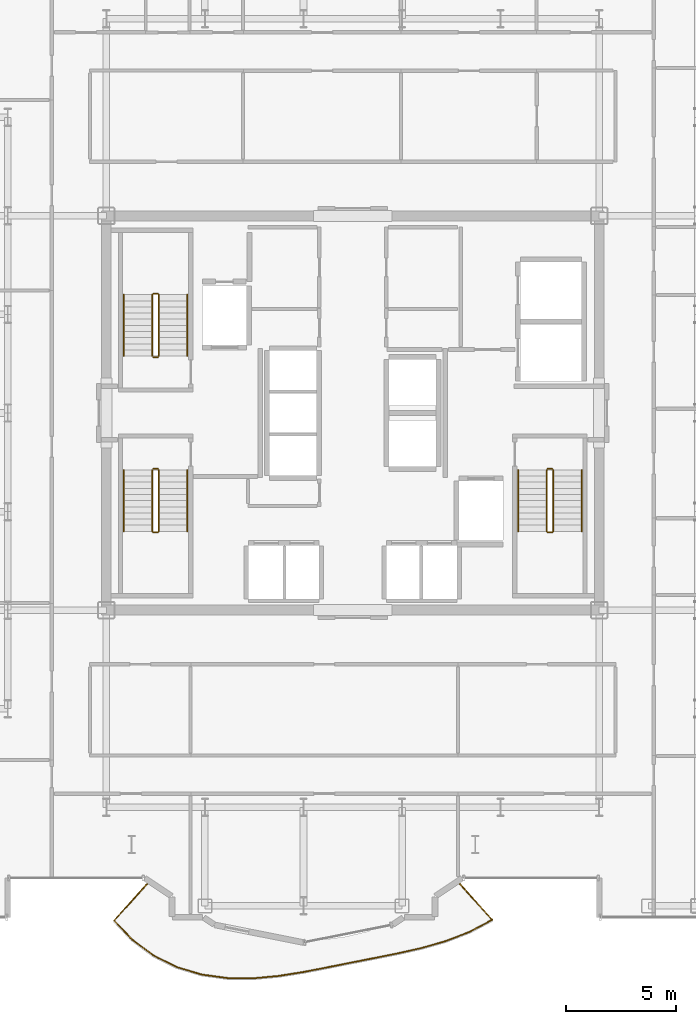
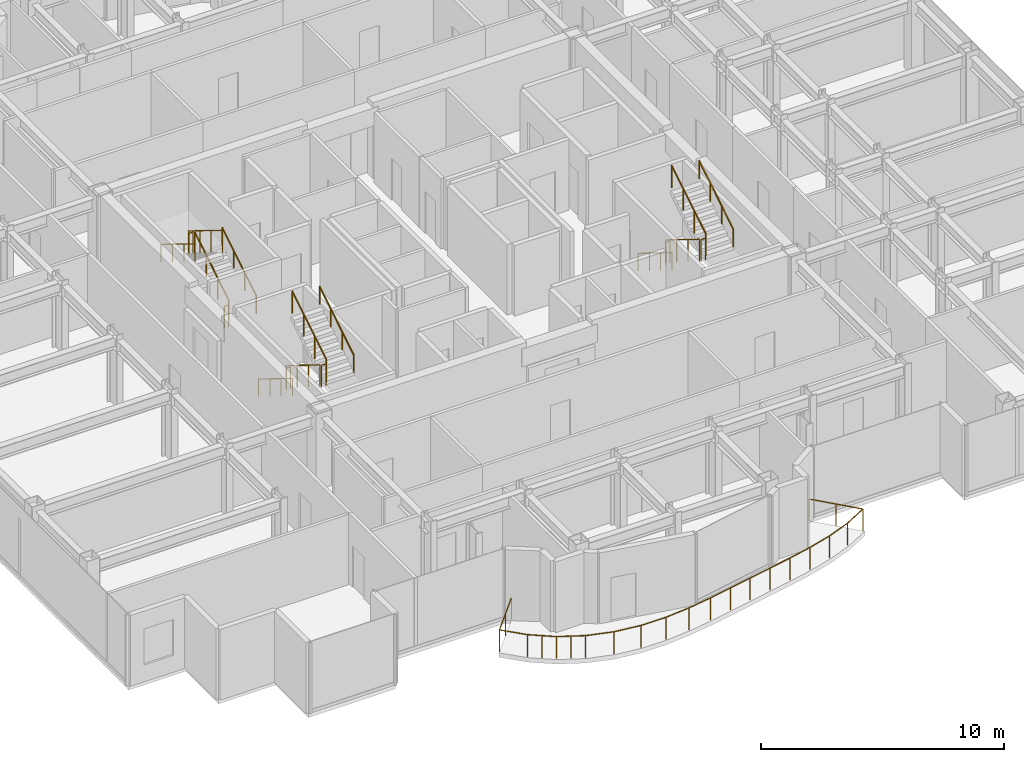
# One storey, part 20 of 21: 19 railings.
"""IFC4 building model written with IfcOpenShell, lengths in metres."""

from ifc_helpers import new_model, si_unit, direction, frame, origin, origin_2d, place, context, subcontext, project, spatial, circle, extrude, material, type_object, element, save


model = new_model("IFC4")

# Units and contexts
model_context = context("Model", 3, precision=1e-05, world=origin(), true_north=direction((0.0, 1.0)))
body_context = subcontext(model_context, "Body", "Model", "MODEL_VIEW")
ifc_project = project(units=[si_unit("LENGTHUNIT", "METRE"), si_unit("AREAUNIT", "SQUARE_METRE"), si_unit("VOLUMEUNIT", "CUBIC_METRE"), si_unit("PLANEANGLEUNIT", "RADIAN"), si_unit("MASSUNIT", "GRAM", prefix="KILO")], contexts=[model_context])

# Site, building, storey
site_placement = place(None, origin())
site = spatial("IfcSite", under=ifc_project, at=site_placement, CompositionType="ELEMENT")
building_placement = place(site_placement, origin())
building = spatial("IfcBuilding", under=site, at=building_placement, Name="Nefas-Gora Pilgrimage Tower", CompositionType="ELEMENT")
storey_placement = place(building_placement, frame((0.0, 0.0, 248.39990234375)))
storey = spatial("IfcBuildingStorey", under=building, at=storey_placement, Name="L62", CompositionType="ELEMENT", Elevation=248.39990234375)

# Railings
ifc_material_1 = material(Name="Laminated safety glass and stainless steel", Category="steel")
railing_type_1 = type_object("IfcRailingType", Name="RLG-BAL-1100", PredefinedType="BALUSTRADE", material=ifc_material_1)
railing_1_placement = place(storey_placement, frame((-9.302490234375, -21.402587890625, 0.0)))
element("IfcRailing", 1, at=railing_1_placement, inside=storey, type_object=railing_type_1, Name="L62 Wave Balcony Balustrade S2", PredefinedType="BALUSTRADE", context=body_context, shape_type="SweptSolid", body=[
    extrude(circle(Radius=0.02392578125, at=origin_2d()), frame((0.0, 0.0, 1.09619140625), z_axis=(-0.669135077133, -0.74314079995, 0.0), x_axis=(0.74314079995, -0.669135077133, 0.0)), (0.0, 0.0, 1.0), 2.375244140625),
    extrude(circle(Radius=0.02392578125, at=origin_2d()), frame((-1.58935546875, -1.76513671875, 1.09619140625), z_axis=(0.68750179514, -0.726182677898, 0.0), x_axis=(0.726182677898, 0.68750179514, 0.0)), (0.0, 0.0, 1.0), 1.19921875),
    extrude(circle(Radius=0.02392578125, at=origin_2d()), frame((-0.764892578125, -2.635986328125, 1.09619140625), z_axis=(0.801437477804, -0.59807856438, 0.0), x_axis=(0.59807856438, 0.801437477804, 0.0)), (0.0, 0.0, 1.0), 1.200439453125),
    extrude(circle(Radius=0.02392578125, at=origin_2d()), frame((0.197265625, -3.35400390625, 1.09619140625), z_axis=(0.89467105907, -0.44672552654, 0.0), x_axis=(0.44672552654, 0.89467105907, 0.0)), (0.0, 0.0, 1.0), 1.20068359375),
    extrude(circle(Radius=0.02392578125, at=origin_2d()), frame((1.271484375, -3.890380859375, 1.09619140625), z_axis=(0.958038938913, -0.286638084571, 0.0), x_axis=(0.286638084571, 0.958038938913, 0.0)), (0.0, 0.0, 1.0), 1.19921875),
    extrude(circle(Radius=0.02392578125, at=origin_2d()), frame((2.42041015625, -4.234130859375, 1.09619140625), z_axis=(0.990887292095, -0.134693631496, 0.0), x_axis=(0.134693631496, 0.990887292095, 0.0)), (0.0, 0.0, 1.0), 1.194580078125),
    extrude(circle(Radius=0.02392578125, at=origin_2d()), frame((3.60400390625, -4.39501953125, 1.09619140625), z_axis=(0.999987695818, -0.004960666536, 0.0), x_axis=(0.004960666536, 0.999987695818, 0.0)), (0.0, 0.0, 1.0), 1.18115234375),
    extrude(circle(Radius=0.02392578125, at=origin_2d()), frame((4.78515625, -4.40087890625, 1.09619140625), z_axis=(0.995572807418, 0.093993537703, 0.0), x_axis=(-0.093993537703, 0.995572807418, 0.0)), (0.0, 0.0, 1.0), 1.158447265625),
    extrude(circle(Radius=0.02392578125, at=origin_2d()), frame((5.9384765625, -4.2919921875, 1.09619140625), z_axis=(0.98740955461, 0.15818461197, 0.0), x_axis=(-0.15818461197, 0.98740955461, 0.0)), (0.0, 0.0, 1.0), 1.128173828125),
    extrude(circle(Radius=0.02392578125, at=origin_2d()), frame((7.052490234375, -4.113525390625, 1.09619140625), z_axis=(0.981742387209, 0.190215365199, 0.0), x_axis=(-0.190215365199, 0.981742387209, 0.0)), (0.0, 0.0, 1.0), 1.0986328125),
    extrude(circle(Radius=0.02392578125, at=origin_2d()), frame((8.131103515625, -3.904541015625, 1.09619140625), z_axis=(0.980414901531, 0.196943191949, 0.0), x_axis=(-0.196943191949, 0.980414901531, 0.0)), (0.0, 0.0, 1.0), 1.07861328125),
    extrude(circle(Radius=0.02392578125, at=origin_2d()), frame((9.1884765625, -3.692138671875, 1.09619140625), z_axis=(0.981315429712, 0.192405892346, 0.0), x_axis=(-0.192405892346, 0.981315429712, 0.0)), (0.0, 0.0, 1.0), 1.075927734375),
    extrude(circle(Radius=0.02392578125, at=origin_2d()), frame((10.244384765625, -3.485107421875, 1.09619140625), z_axis=(0.980846406589, 0.194782767929, 0.0), x_axis=(-0.194782767929, 0.980846406589, 0.0)), (0.0, 0.0, 1.0), 1.091796875),
    extrude(circle(Radius=0.02392578125, at=origin_2d()), frame((11.315185546875, -3.2724609375, 1.09619140625), z_axis=(0.975857703496, 0.218407285884, 0.0), x_axis=(-0.218407285884, 0.975857703496, 0.0)), (0.0, 0.0, 1.0), 1.1201171875),
    extrude(circle(Radius=0.02392578125, at=origin_2d()), frame((12.408203125, -3.02783203125, 1.09619140625), z_axis=(0.962066425729, 0.272815308377, 0.0), x_axis=(-0.272815308377, 0.962066425729, 0.0)), (0.0, 0.0, 1.0), 1.15087890625),
    extrude(circle(Radius=0.02392578125, at=origin_2d()), frame((13.515380859375, -2.7138671875, 1.09619140625), z_axis=(0.933666294474, 0.358144175665, 0.0), x_axis=(-0.358144175665, 0.933666294474, 0.0)), (0.0, 0.0, 1.0), 1.17578125),
    extrude(circle(Radius=0.02392578125, at=origin_2d()), frame((14.61328125, -2.292724609375, 1.09619140625), z_axis=(0.883049407943, 0.469280026351, 0.0), x_axis=(-0.469280026351, 0.883049407943, 0.0)), (0.0, 0.0, 1.0), 1.19189453125),
    extrude(circle(Radius=0.02392578125, at=origin_2d()), frame((15.665771484375, -1.7333984375, 1.09619140625), z_axis=(-0.669138195153, 0.743137992427, 0.0), x_axis=(-0.743137992427, -0.669138195153, 0.0)), (0.0, 0.0, 1.0), 2.33251953125),
    extrude(circle(Radius=0.02099609375, at=origin_2d()), origin(), (0.0, 0.0, 1.0), 1.072021484375),
    extrude(circle(Radius=0.02099609375, at=origin_2d()), frame((-0.794677734375, -0.882568359375, 0.0)), (0.0, 0.0, 1.0), 1.072021484375),
    extrude(circle(Radius=0.02099609375, at=origin_2d()), frame((-1.58935546875, -1.76513671875, 0.0)), (0.0, 0.0, 1.0), 1.072021484375),
    extrude(circle(Radius=0.02099609375, at=origin_2d()), frame((-0.764892578125, -2.635986328125, 0.0)), (0.0, 0.0, 1.0), 1.072021484375),
    extrude(circle(Radius=0.02099609375, at=origin_2d()), frame((-0.28369140625, -2.9951171875, 0.0)), (0.0, 0.0, 1.0), 1.072021484375),
    extrude(circle(Radius=0.02099609375, at=origin_2d()), frame((0.197265625, -3.35400390625, 0.0)), (0.0, 0.0, 1.0), 1.072021484375),
    extrude(circle(Radius=0.02099609375, at=origin_2d()), frame((0.734375, -3.6220703125, 0.0)), (0.0, 0.0, 1.0), 1.072021484375),
    extrude(circle(Radius=0.02099609375, at=origin_2d()), frame((1.271484375, -3.890380859375, 0.0)), (0.0, 0.0, 1.0), 1.072021484375),
    extrude(circle(Radius=0.02099609375, at=origin_2d()), frame((2.42041015625, -4.234130859375, 0.0)), (0.0, 0.0, 1.0), 1.072021484375),
    extrude(circle(Radius=0.02099609375, at=origin_2d()), frame((3.60400390625, -4.39501953125, 0.0)), (0.0, 0.0, 1.0), 1.072021484375),
    extrude(circle(Radius=0.02099609375, at=origin_2d()), frame((4.78515625, -4.40087890625, 0.0)), (0.0, 0.0, 1.0), 1.072021484375),
    extrude(circle(Radius=0.02099609375, at=origin_2d()), frame((5.9384765625, -4.2919921875, 0.0)), (0.0, 0.0, 1.0), 1.072021484375),
    extrude(circle(Radius=0.02099609375, at=origin_2d()), frame((7.052490234375, -4.113525390625, 0.0)), (0.0, 0.0, 1.0), 1.072021484375),
    extrude(circle(Radius=0.02099609375, at=origin_2d()), frame((8.131103515625, -3.904541015625, 0.0)), (0.0, 0.0, 1.0), 1.072021484375),
    extrude(circle(Radius=0.02099609375, at=origin_2d()), frame((9.1884765625, -3.692138671875, 0.0)), (0.0, 0.0, 1.0), 1.072021484375),
    extrude(circle(Radius=0.02099609375, at=origin_2d()), frame((10.244384765625, -3.485107421875, 0.0)), (0.0, 0.0, 1.0), 1.072021484375),
    extrude(circle(Radius=0.02099609375, at=origin_2d()), frame((11.315185546875, -3.2724609375, 0.0)), (0.0, 0.0, 1.0), 1.072021484375),
    extrude(circle(Radius=0.02099609375, at=origin_2d()), frame((12.408203125, -3.02783203125, 0.0)), (0.0, 0.0, 1.0), 1.072021484375),
    extrude(circle(Radius=0.02099609375, at=origin_2d()), frame((13.515380859375, -2.7138671875, 0.0)), (0.0, 0.0, 1.0), 1.072021484375),
    extrude(circle(Radius=0.02099609375, at=origin_2d()), frame((14.61328125, -2.292724609375, 0.0)), (0.0, 0.0, 1.0), 1.072021484375),
    extrude(circle(Radius=0.02099609375, at=origin_2d()), frame((15.665771484375, -1.7333984375, 0.0)), (0.0, 0.0, 1.0), 1.072021484375),
    extrude(circle(Radius=0.02099609375, at=origin_2d()), frame((14.88525390625, -0.86669921875, 0.0)), (0.0, 0.0, 1.0), 1.072021484375),
    extrude(circle(Radius=0.02099609375, at=origin_2d()), frame((14.10498046875, 0.0, 0.0)), (0.0, 0.0, 1.0), 1.072021484375),
])
ifc_material_2 = material(Name="Painted galvanised steel", Category="steel")
railing_type_2 = type_object("IfcRailingType", Name="RLG-STR-GUARD-1100", PredefinedType="GUARDRAIL", material=ifc_material_2)
railing_2_placement = place(storey_placement, frame((-8.85009765625, 2.60009765625, 0.1728515625)))
element("IfcRailing", 2, at=railing_2_placement, inside=storey, type_object=railing_type_2, Name="L62 ST-01 stair guard 1", PredefinedType="GUARDRAIL", context=body_context, shape_type="SweptSolid", body=[
    extrude(circle(Radius=0.02392578125, at=origin_2d()), frame((0.0, 0.0, 1.09619140625), z_axis=(0.0, 0.851069175582, 0.525053576669), x_axis=(-1.0, 0.0, 0.0)), (0.0, 0.0, 1.0), 3.289794921875),
    extrude(circle(Radius=0.02099609375, at=origin_2d()), origin(), (0.0, 0.0, 1.0), 1.072021484375),
    extrude(circle(Radius=0.02099609375, at=origin_2d()), frame((0.0, 0.933349609375, 0.57568359375)), (0.0, 0.0, 1.0), 1.072021484375),
    extrude(circle(Radius=0.02099609375, at=origin_2d()), frame((0.0, 1.866455078125, 1.151611328125)), (0.0, 0.0, 1.0), 1.072021484375),
    extrude(circle(Radius=0.02099609375, at=origin_2d()), frame((0.0, 2.7998046875, 1.727294921875)), (0.0, 0.0, 1.0), 1.072021484375),
])
railing_3_placement = place(storey_placement, frame((-8.89990234375, 5.449951171875, 1.900146484375)))
element("IfcRailing", 3, at=railing_3_placement, inside=storey, type_object=railing_type_2, Name="L62 ST-01 stair guard 2", PredefinedType="GUARDRAIL", context=body_context, shape_type="SweptSolid", body=[
    extrude(circle(Radius=0.02392578125, at=origin_2d()), frame((0.0, 0.0, 1.09619140625), z_axis=(-1.0, 0.0, 0.0), x_axis=(0.0, -1.0, 0.0)), (0.0, 0.0, 1.0), 0.2001953125),
    extrude(circle(Radius=0.02099609375, at=origin_2d()), origin(), (0.0, 0.0, 1.0), 1.072021484375),
    extrude(circle(Radius=0.02099609375, at=origin_2d()), frame((-0.2001953125, 0.0, 0.0)), (0.0, 0.0, 1.0), 1.072021484375),
])
railing_4_placement = place(storey_placement, frame((-9.14990234375, 5.39990234375, 2.07275390625)))
element("IfcRailing", 4, at=railing_4_placement, inside=storey, type_object=railing_type_2, Name="L62 ST-01 stair guard 3", PredefinedType="GUARDRAIL", context=body_context, shape_type="SweptSolid", body=[
    extrude(circle(Radius=0.02392578125, at=origin_2d()), frame((0.0, 0.0, 1.09619140625), z_axis=(0.0, -0.851069175582, 0.525053576669), x_axis=(1.0, 0.0, 0.0)), (0.0, 0.0, 1.0), 3.289794921875),
    extrude(circle(Radius=0.02099609375, at=origin_2d()), origin(), (0.0, 0.0, 1.0), 1.072021484375),
    extrude(circle(Radius=0.02099609375, at=origin_2d()), frame((0.0, -0.933349609375, 0.57568359375)), (0.0, 0.0, 1.0), 1.072021484375),
    extrude(circle(Radius=0.02099609375, at=origin_2d()), frame((0.0, -1.866455078125, 1.151611328125)), (0.0, 0.0, 1.0), 1.072021484375),
    extrude(circle(Radius=0.02099609375, at=origin_2d()), frame((0.0, -2.7998046875, 1.727294921875)), (0.0, 0.0, 1.0), 1.072021484375),
])
railing_5_placement = place(storey_placement, frame((-8.89990234375, 2.550048828125, 0.0)))
element("IfcRailing", 5, at=railing_5_placement, inside=storey, type_object=railing_type_2, Name="L62 ST-01 stair guard 4", PredefinedType="GUARDRAIL", context=body_context, shape_type="SweptSolid", body=[
    extrude(circle(Radius=0.02392578125, at=origin_2d()), frame((0.0, 0.0, 1.09619140625), z_axis=(-1.0, 0.0, 0.0), x_axis=(0.0, -1.0, 0.0)), (0.0, 0.0, 1.0), 0.2001953125),
    extrude(circle(Radius=0.02099609375, at=origin_2d()), origin(), (0.0, 0.0, 1.0), 1.072021484375),
    extrude(circle(Radius=0.02099609375, at=origin_2d()), frame((-0.2001953125, 0.0, 0.0)), (0.0, 0.0, 1.0), 1.072021484375),
])
railing_6_placement = place(storey_placement, frame((8.85009765625, -2.60009765625, 0.1728515625)))
element("IfcRailing", 6, at=railing_6_placement, inside=storey, type_object=railing_type_2, Name="L62 ST-02 stair guard 1", PredefinedType="GUARDRAIL", context=body_context, shape_type="SweptSolid", body=[
    extrude(circle(Radius=0.02392578125, at=origin_2d()), frame((0.0, 0.0, 1.09619140625), z_axis=(0.0, -0.851069175582, 0.525053576669), x_axis=(1.0, 0.0, 0.0)), (0.0, 0.0, 1.0), 3.289794921875),
    extrude(circle(Radius=0.02099609375, at=origin_2d()), origin(), (0.0, 0.0, 1.0), 1.072021484375),
    extrude(circle(Radius=0.02099609375, at=origin_2d()), frame((0.0, -0.933349609375, 0.57568359375)), (0.0, 0.0, 1.0), 1.072021484375),
    extrude(circle(Radius=0.02099609375, at=origin_2d()), frame((0.0, -1.866455078125, 1.151611328125)), (0.0, 0.0, 1.0), 1.072021484375),
    extrude(circle(Radius=0.02099609375, at=origin_2d()), frame((0.0, -2.7998046875, 1.727294921875)), (0.0, 0.0, 1.0), 1.072021484375),
])
railing_7_placement = place(storey_placement, frame((8.89990234375, -5.449951171875, 1.900146484375)))
element("IfcRailing", 7, at=railing_7_placement, inside=storey, type_object=railing_type_2, Name="L62 ST-02 stair guard 2", PredefinedType="GUARDRAIL", context=body_context, shape_type="SweptSolid", body=[
    extrude(circle(Radius=0.02392578125, at=origin_2d()), frame((0.0, 0.0, 1.09619140625), z_axis=(1.0, 0.0, 0.0), x_axis=(0.0, 1.0, 0.0)), (0.0, 0.0, 1.0), 0.2001953125),
    extrude(circle(Radius=0.02099609375, at=origin_2d()), origin(), (0.0, 0.0, 1.0), 1.072021484375),
    extrude(circle(Radius=0.02099609375, at=origin_2d()), frame((0.2001953125, 0.0, 0.0)), (0.0, 0.0, 1.0), 1.072021484375),
])
railing_8_placement = place(storey_placement, frame((9.14990234375, -5.39990234375, 2.07275390625)))
element("IfcRailing", 8, at=railing_8_placement, inside=storey, type_object=railing_type_2, Name="L62 ST-02 stair guard 3", PredefinedType="GUARDRAIL", context=body_context, shape_type="SweptSolid", body=[
    extrude(circle(Radius=0.02392578125, at=origin_2d()), frame((0.0, 0.0, 1.09619140625), z_axis=(0.0, 0.851069175582, 0.525053576669), x_axis=(-1.0, 0.0, 0.0)), (0.0, 0.0, 1.0), 3.289794921875),
    extrude(circle(Radius=0.02099609375, at=origin_2d()), origin(), (0.0, 0.0, 1.0), 1.072021484375),
    extrude(circle(Radius=0.02099609375, at=origin_2d()), frame((0.0, 0.933349609375, 0.57568359375)), (0.0, 0.0, 1.0), 1.072021484375),
    extrude(circle(Radius=0.02099609375, at=origin_2d()), frame((0.0, 1.866455078125, 1.151611328125)), (0.0, 0.0, 1.0), 1.072021484375),
    extrude(circle(Radius=0.02099609375, at=origin_2d()), frame((0.0, 2.7998046875, 1.727294921875)), (0.0, 0.0, 1.0), 1.072021484375),
])
railing_9_placement = place(storey_placement, frame((8.89990234375, -2.550048828125, 0.0)))
element("IfcRailing", 9, at=railing_9_placement, inside=storey, type_object=railing_type_2, Name="L62 ST-02 stair guard 4", PredefinedType="GUARDRAIL", context=body_context, shape_type="SweptSolid", body=[
    extrude(circle(Radius=0.02392578125, at=origin_2d()), frame((0.0, 0.0, 1.09619140625), z_axis=(1.0, 0.0, 0.0), x_axis=(0.0, 1.0, 0.0)), (0.0, 0.0, 1.0), 0.2001953125),
    extrude(circle(Radius=0.02099609375, at=origin_2d()), origin(), (0.0, 0.0, 1.0), 1.072021484375),
    extrude(circle(Radius=0.02099609375, at=origin_2d()), frame((0.2001953125, 0.0, 0.0)), (0.0, 0.0, 1.0), 1.072021484375),
])
railing_10_placement = place(storey_placement, frame((-9.14990234375, -2.60009765625, 0.1728515625)))
element("IfcRailing", 10, at=railing_10_placement, inside=storey, type_object=railing_type_2, Name="L62 ST-03 stair guard 1", PredefinedType="GUARDRAIL", context=body_context, shape_type="SweptSolid", body=[
    extrude(circle(Radius=0.02392578125, at=origin_2d()), frame((0.0, 0.0, 1.09619140625), z_axis=(0.0, -0.851069175582, 0.525053576669), x_axis=(1.0, 0.0, 0.0)), (0.0, 0.0, 1.0), 3.289794921875),
    extrude(circle(Radius=0.02099609375, at=origin_2d()), origin(), (0.0, 0.0, 1.0), 1.072021484375),
    extrude(circle(Radius=0.02099609375, at=origin_2d()), frame((0.0, -0.933349609375, 0.57568359375)), (0.0, 0.0, 1.0), 1.072021484375),
    extrude(circle(Radius=0.02099609375, at=origin_2d()), frame((0.0, -1.866455078125, 1.151611328125)), (0.0, 0.0, 1.0), 1.072021484375),
    extrude(circle(Radius=0.02099609375, at=origin_2d()), frame((0.0, -2.7998046875, 1.727294921875)), (0.0, 0.0, 1.0), 1.072021484375),
])
railing_11_placement = place(storey_placement, frame((-9.10009765625, -5.449951171875, 1.900146484375)))
element("IfcRailing", 11, at=railing_11_placement, inside=storey, type_object=railing_type_2, Name="L62 ST-03 stair guard 2", PredefinedType="GUARDRAIL", context=body_context, shape_type="SweptSolid", body=[
    extrude(circle(Radius=0.02392578125, at=origin_2d()), frame((0.0, 0.0, 1.09619140625), z_axis=(1.0, 0.0, 0.0), x_axis=(0.0, 1.0, 0.0)), (0.0, 0.0, 1.0), 0.2001953125),
    extrude(circle(Radius=0.02099609375, at=origin_2d()), origin(), (0.0, 0.0, 1.0), 1.072021484375),
    extrude(circle(Radius=0.02099609375, at=origin_2d()), frame((0.2001953125, 0.0, 0.0)), (0.0, 0.0, 1.0), 1.072021484375),
])
railing_12_placement = place(storey_placement, frame((-8.85009765625, -5.39990234375, 2.07275390625)))
element("IfcRailing", 12, at=railing_12_placement, inside=storey, type_object=railing_type_2, Name="L62 ST-03 stair guard 3", PredefinedType="GUARDRAIL", context=body_context, shape_type="SweptSolid", body=[
    extrude(circle(Radius=0.02392578125, at=origin_2d()), frame((0.0, 0.0, 1.09619140625), z_axis=(0.0, 0.851069175582, 0.525053576669), x_axis=(-1.0, 0.0, 0.0)), (0.0, 0.0, 1.0), 3.289794921875),
    extrude(circle(Radius=0.02099609375, at=origin_2d()), origin(), (0.0, 0.0, 1.0), 1.072021484375),
    extrude(circle(Radius=0.02099609375, at=origin_2d()), frame((0.0, 0.933349609375, 0.57568359375)), (0.0, 0.0, 1.0), 1.072021484375),
    extrude(circle(Radius=0.02099609375, at=origin_2d()), frame((0.0, 1.866455078125, 1.151611328125)), (0.0, 0.0, 1.0), 1.072021484375),
    extrude(circle(Radius=0.02099609375, at=origin_2d()), frame((0.0, 2.7998046875, 1.727294921875)), (0.0, 0.0, 1.0), 1.072021484375),
])
railing_13_placement = place(storey_placement, frame((-9.10009765625, -2.550048828125, 0.0)))
element("IfcRailing", 13, at=railing_13_placement, inside=storey, type_object=railing_type_2, Name="L62 ST-03 stair guard 4", PredefinedType="GUARDRAIL", context=body_context, shape_type="SweptSolid", body=[
    extrude(circle(Radius=0.02392578125, at=origin_2d()), frame((0.0, 0.0, 1.09619140625), z_axis=(1.0, 0.0, 0.0), x_axis=(0.0, 1.0, 0.0)), (0.0, 0.0, 1.0), 0.2001953125),
    extrude(circle(Radius=0.02099609375, at=origin_2d()), origin(), (0.0, 0.0, 1.0), 1.072021484375),
    extrude(circle(Radius=0.02099609375, at=origin_2d()), frame((0.2001953125, 0.0, 0.0)), (0.0, 0.0, 1.0), 1.072021484375),
])
ifc_material_3 = material(Name="Brushed stainless steel", Category="steel")
railing_type_3 = type_object("IfcRailingType", Name="RLG-STR-HAND-900", PredefinedType="HANDRAIL", material=ifc_material_3)
railing_14_placement = place(storey_placement, frame((-7.550048828125, 2.60009765625, 0.1728515625)))
element("IfcRailing", 14, at=railing_14_placement, inside=storey, type_object=railing_type_3, Name="L62 ST-01 stair handrail 1", PredefinedType="HANDRAIL", context=body_context, shape_type="SweptSolid", body=[
    extrude(circle(Radius=0.02392578125, at=origin_2d()), frame((0.0, 0.0, 0.8759765625), z_axis=(0.0, 0.851069175582, 0.525053576669), x_axis=(-1.0, 0.0, 0.0)), (0.0, 0.0, 1.0), 3.289794921875),
    extrude(circle(Radius=0.02099609375, at=origin_2d()), origin(), (0.0, 0.0, 1.0), 0.851806640625),
    extrude(circle(Radius=0.02099609375, at=origin_2d()), frame((0.0, 0.933349609375, 0.57568359375)), (0.0, 0.0, 1.0), 0.851806640625),
    extrude(circle(Radius=0.02099609375, at=origin_2d()), frame((0.0, 1.866455078125, 1.151611328125)), (0.0, 0.0, 1.0), 0.851806640625),
    extrude(circle(Radius=0.02099609375, at=origin_2d()), frame((0.0, 2.7998046875, 1.727294921875)), (0.0, 0.0, 1.0), 0.851806640625),
])
for number, where, name in (
    (15, (-10.449951171875, 5.39990234375, 2.07275390625), "L62 ST-01 stair handrail 2"),
    (16, (7.550048828125, -2.60009765625, 0.1728515625), "L62 ST-02 stair handrail 1"),
):
    element("IfcRailing", number, at=place(storey_placement, frame(where)), inside=storey, type_object=railing_type_3, Name=name, PredefinedType="HANDRAIL", context=body_context, shape_type="SweptSolid", body=[
        extrude(circle(Radius=0.02392578125, at=origin_2d()), frame((0.0, 0.0, 0.8759765625), z_axis=(0.0, -0.851069175582, 0.525053576669), x_axis=(1.0, 0.0, 0.0)), (0.0, 0.0, 1.0), 3.289794921875),
        extrude(circle(Radius=0.02099609375, at=origin_2d()), origin(), (0.0, 0.0, 1.0), 0.851806640625),
        extrude(circle(Radius=0.02099609375, at=origin_2d()), frame((0.0, -0.933349609375, 0.57568359375)), (0.0, 0.0, 1.0), 0.851806640625),
        extrude(circle(Radius=0.02099609375, at=origin_2d()), frame((0.0, -1.866455078125, 1.151611328125)), (0.0, 0.0, 1.0), 0.851806640625),
        extrude(circle(Radius=0.02099609375, at=origin_2d()), frame((0.0, -2.7998046875, 1.727294921875)), (0.0, 0.0, 1.0), 0.851806640625),
    ])
railing_15_placement = place(storey_placement, frame((10.449951171875, -5.39990234375, 2.07275390625)))
element("IfcRailing", 17, at=railing_15_placement, inside=storey, type_object=railing_type_3, Name="L62 ST-02 stair handrail 2", PredefinedType="HANDRAIL", context=body_context, shape_type="SweptSolid", body=[
    extrude(circle(Radius=0.02392578125, at=origin_2d()), frame((0.0, 0.0, 0.8759765625), z_axis=(0.0, 0.851069175582, 0.525053576669), x_axis=(-1.0, 0.0, 0.0)), (0.0, 0.0, 1.0), 3.289794921875),
    extrude(circle(Radius=0.02099609375, at=origin_2d()), origin(), (0.0, 0.0, 1.0), 0.851806640625),
    extrude(circle(Radius=0.02099609375, at=origin_2d()), frame((0.0, 0.933349609375, 0.57568359375)), (0.0, 0.0, 1.0), 0.851806640625),
    extrude(circle(Radius=0.02099609375, at=origin_2d()), frame((0.0, 1.866455078125, 1.151611328125)), (0.0, 0.0, 1.0), 0.851806640625),
    extrude(circle(Radius=0.02099609375, at=origin_2d()), frame((0.0, 2.7998046875, 1.727294921875)), (0.0, 0.0, 1.0), 0.851806640625),
])
railing_16_placement = place(storey_placement, frame((-10.449951171875, -2.60009765625, 0.1728515625)))
element("IfcRailing", 18, at=railing_16_placement, inside=storey, type_object=railing_type_3, Name="L62 ST-03 stair handrail 1", PredefinedType="HANDRAIL", context=body_context, shape_type="SweptSolid", body=[
    extrude(circle(Radius=0.02392578125, at=origin_2d()), frame((0.0, 0.0, 0.8759765625), z_axis=(0.0, -0.851069175582, 0.525053576669), x_axis=(1.0, 0.0, 0.0)), (0.0, 0.0, 1.0), 3.289794921875),
    extrude(circle(Radius=0.02099609375, at=origin_2d()), origin(), (0.0, 0.0, 1.0), 0.851806640625),
    extrude(circle(Radius=0.02099609375, at=origin_2d()), frame((0.0, -0.933349609375, 0.57568359375)), (0.0, 0.0, 1.0), 0.851806640625),
    extrude(circle(Radius=0.02099609375, at=origin_2d()), frame((0.0, -1.866455078125, 1.151611328125)), (0.0, 0.0, 1.0), 0.851806640625),
    extrude(circle(Radius=0.02099609375, at=origin_2d()), frame((0.0, -2.7998046875, 1.727294921875)), (0.0, 0.0, 1.0), 0.851806640625),
])
railing_17_placement = place(storey_placement, frame((-7.550048828125, -5.39990234375, 2.07275390625)))
element("IfcRailing", 19, at=railing_17_placement, inside=storey, type_object=railing_type_3, Name="L62 ST-03 stair handrail 2", PredefinedType="HANDRAIL", context=body_context, shape_type="SweptSolid", body=[
    extrude(circle(Radius=0.02392578125, at=origin_2d()), frame((0.0, 0.0, 0.8759765625), z_axis=(0.0, 0.851069175582, 0.525053576669), x_axis=(-1.0, 0.0, 0.0)), (0.0, 0.0, 1.0), 3.289794921875),
    extrude(circle(Radius=0.02099609375, at=origin_2d()), origin(), (0.0, 0.0, 1.0), 0.851806640625),
    extrude(circle(Radius=0.02099609375, at=origin_2d()), frame((0.0, 0.933349609375, 0.57568359375)), (0.0, 0.0, 1.0), 0.851806640625),
    extrude(circle(Radius=0.02099609375, at=origin_2d()), frame((0.0, 1.866455078125, 1.151611328125)), (0.0, 0.0, 1.0), 0.851806640625),
    extrude(circle(Radius=0.02099609375, at=origin_2d()), frame((0.0, 2.7998046875, 1.727294921875)), (0.0, 0.0, 1.0), 0.851806640625),
])

save(model, "model.ifc")
